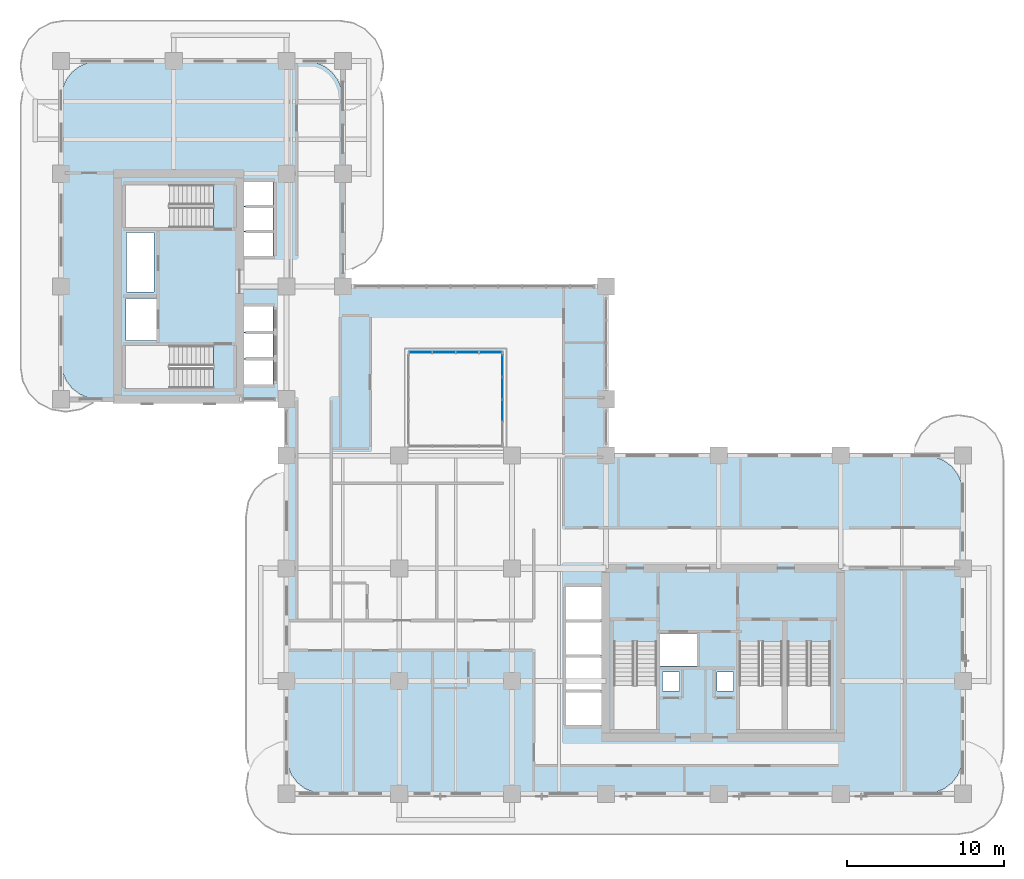
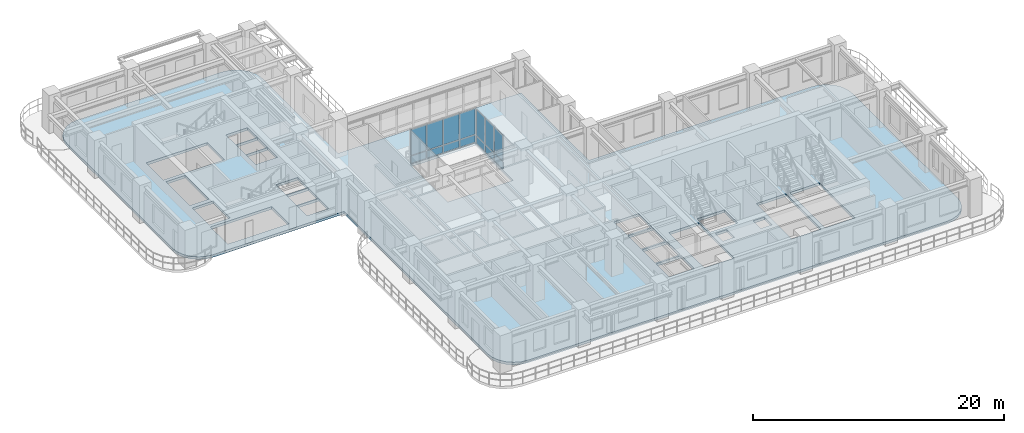
# One storey, part 9 of 22: 14 plates, 1 slab, 2 elements without a shape of their own.
"""IFC4 building model written with IfcOpenShell, lengths in metres."""

from ifc_helpers import new_model, si_unit, derived_unit, direction, frame, origin, origin_2d, place, context, subcontext, project, spatial, polyline, rectangle, outline, extrude, source, transform, mapped, material, layer, layer_set, type_object, element, aggregate, save


model = new_model("IFC4")

# Units and contexts
model_context = context("Model", 3, precision=1e-05, world=origin(), true_north=direction((0.0, 1.0)))
body_context = subcontext(model_context, "Body", "Model", "MODEL_VIEW")
ifc_project = project(units=[si_unit("LENGTHUNIT", "METRE"), si_unit("AREAUNIT", "SQUARE_METRE"), si_unit("VOLUMEUNIT", "CUBIC_METRE"), si_unit("PLANEANGLEUNIT", "RADIAN"), si_unit("MASSUNIT", "GRAM", prefix="KILO"), si_unit("THERMODYNAMICTEMPERATUREUNIT", "KELVIN"), si_unit("POWERUNIT", "WATT"), derived_unit("THERMALTRANSMITTANCEUNIT", [(si_unit("POWERUNIT", "WATT"), 1), (si_unit("AREAUNIT", "SQUARE_METRE"), -1), (si_unit("THERMODYNAMICTEMPERATUREUNIT", "KELVIN"), -1)])], contexts=[model_context])

# Site, building, storey
site_placement = place(None, origin())
site = spatial("IfcSite", under=ifc_project, at=site_placement, CompositionType="ELEMENT")
building_placement = place(site_placement, origin())
building = spatial("IfcBuilding", under=site, at=building_placement, Name="Zahravan Archway Hotel and Residences", CompositionType="ELEMENT")
storey_placement = place(building_placement, frame((0.0, 0.0, 99.0)))
storey = spatial("IfcBuildingStorey", under=building, at=storey_placement, Name="L24", CompositionType="ELEMENT", Elevation=99.0)

# Slab
ifc_material_1 = material(Name="Concrete C45/55", Category="concrete")
ifc_layer_1 = layer(ifc_material_1, 0.25, Name="Concrete C45/55", Category="concrete")
ifc_layer_set_1 = layer_set([ifc_layer_1], Name="Concrete C45/55")
slab_type = type_object("IfcSlabType", Name="SLB-FLR-250", PredefinedType="FLOOR", material=ifc_layer_set_1)
slab_placement = place(storey_placement, frame((0.0, 0.0, -0.25)))
element("IfcSlab", 1, at=slab_placement, inside=storey, type_object=slab_type, Name="L24 Floor Slab LB", PredefinedType="FLOOR", context=body_context, shape_type="SweptSolid", body=[
    extrude(outline(polyline([(34.800048828125, 21.60009765625), (34.800048828125, 32.39990234375), (18.0, 32.39990234375), (18.0, 44.39990234375), (17.918212890625, 45.021240234375), (17.678466796875, 45.60009765625), (17.297119140625, 46.09716796875), (16.800048828125, 46.478515625), (16.22119140625, 46.71826171875), (15.60009765625, 46.800048828125), (2.39990234375, 46.800048828125), (1.77880859375, 46.71826171875), (1.199951171875, 46.478515625), (0.702880859375, 46.09716796875), (0.321533203125, 45.60009765625), (0.081787109375, 45.021240234375), (0.0, 44.39990234375), (0.0, 27.60009765625), (0.081787109375, 26.978759765625), (0.321533203125, 26.39990234375), (0.702880859375, 25.90283203125), (1.199951171875, 25.521484375), (1.77880859375, 25.28173828125), (2.39990234375, 25.199951171875), (14.39990234375, 25.199951171875), (14.39990234375, 19.199951171875), (14.39990234375, 19.10009765625), (14.39990234375, 2.39990234375), (14.481689453125, 1.77880859375), (14.721435546875, 1.199951171875), (15.102783203125, 0.702880859375), (15.60009765625, 0.321533203125), (16.1787109375, 0.081787109375), (16.800048828125, 0.0), (55.199951171875, 0.0), (55.8212890625, 0.081787109375), (56.39990234375, 0.321533203125), (56.897216796875, 0.702880859375), (57.278564453125, 1.199951171875), (57.518310546875, 1.77880859375), (57.60009765625, 2.39990234375), (57.60009765625, 19.199951171875), (57.518310546875, 19.8212890625), (57.278564453125, 20.39990234375), (56.897216796875, 20.897216796875), (56.39990234375, 21.278564453125), (55.8212890625, 21.518310546875), (55.199951171875, 21.60009765625), (34.800048828125, 21.60009765625)]), holes=[polyline([(35.300048828125, 9.72998046875), (35.300048828125, 4.10009765625), (38.0400390625, 4.10009765625), (38.0400390625, 9.72998046875), (35.300048828125, 9.72998046875)]), polyline([(43.320068359375, 9.72998046875), (43.320068359375, 4.10009765625), (46.06005859375, 4.10009765625), (46.06005859375, 9.72998046875), (43.320068359375, 9.72998046875)]), polyline([(46.39990234375, 9.72998046875), (46.39990234375, 4.10009765625), (49.139892578125, 4.10009765625), (49.139892578125, 9.72998046875), (46.39990234375, 9.72998046875)]), polyline([(9.72998046875, 28.639892578125), (4.10009765625, 28.639892578125), (4.10009765625, 25.89990234375), (9.72998046875, 25.89990234375), (9.72998046875, 28.639892578125)]), polyline([(9.72998046875, 38.89990234375), (4.10009765625, 38.89990234375), (4.10009765625, 36.159912109375), (9.72998046875, 36.159912109375), (9.72998046875, 38.89990234375)]), polyline([(38.179931640625, 8.14990234375), (40.699951171875, 8.14990234375), (40.699951171875, 10.25), (38.179931640625, 10.25), (38.179931640625, 8.14990234375)]), polyline([(4.14990234375, 28.949951171875), (6.10009765625, 28.949951171875), (6.10009765625, 31.64990234375), (4.14990234375, 31.64990234375), (4.14990234375, 28.949951171875)]), polyline([(11.550048828125, 26.14990234375), (13.550048828125, 26.14990234375), (13.550048828125, 27.75), (11.550048828125, 27.75), (11.550048828125, 26.14990234375)]), polyline([(11.550048828125, 27.830078125), (13.550048828125, 27.830078125), (13.550048828125, 29.429931640625), (11.550048828125, 29.429931640625), (11.550048828125, 27.830078125)]), polyline([(11.550048828125, 29.510009765625), (13.550048828125, 29.510009765625), (13.550048828125, 31.110107421875), (11.550048828125, 31.110107421875), (11.550048828125, 29.510009765625)]), polyline([(11.550048828125, 34.35009765625), (13.550048828125, 34.35009765625), (13.550048828125, 35.889892578125), (11.550048828125, 35.889892578125), (11.550048828125, 34.35009765625)]), polyline([(11.550048828125, 35.949951171875), (13.550048828125, 35.949951171875), (13.550048828125, 37.489990234375), (11.550048828125, 37.489990234375), (11.550048828125, 35.949951171875)]), polyline([(11.550048828125, 37.550048828125), (13.550048828125, 37.550048828125), (13.550048828125, 39.090087890625), (11.550048828125, 39.090087890625), (11.550048828125, 37.550048828125)]), polyline([(32.25, 4.39990234375), (34.550048828125, 4.39990234375), (34.550048828125, 6.47998046875), (32.25, 6.47998046875), (32.25, 4.39990234375)]), polyline([(32.25, 6.639892578125), (34.550048828125, 6.639892578125), (34.550048828125, 8.719970703125), (32.25, 8.719970703125), (32.25, 6.639892578125)]), polyline([(32.25, 8.8798828125), (34.550048828125, 8.8798828125), (34.550048828125, 10.9599609375), (32.25, 10.9599609375), (32.25, 8.8798828125)]), polyline([(32.25, 11.1201171875), (34.550048828125, 11.1201171875), (34.550048828125, 13.199951171875), (32.25, 13.199951171875), (32.25, 11.1201171875)]), polyline([(22.199951171875, 22.199951171875), (28.199951171875, 22.199951171875), (28.199951171875, 28.199951171875), (22.199951171875, 28.199951171875), (22.199951171875, 22.199951171875)]), polyline([(38.419921875, 6.56005859375), (39.5, 6.56005859375), (39.5, 7.780029296875), (38.419921875, 7.780029296875), (38.419921875, 6.56005859375)]), polyline([(41.89990234375, 6.56005859375), (42.9599609375, 6.56005859375), (42.9599609375, 7.780029296875), (41.89990234375, 7.780029296875), (41.89990234375, 6.56005859375)]), polyline([(4.179931640625, 32.050048828125), (5.93994140625, 32.050048828125), (5.93994140625, 35.840087890625), (4.179931640625, 35.840087890625), (4.179931640625, 32.050048828125)])]), origin(), (0.0, 0.0, 1.0), 0.25),
])

# Curtain wall, plates
ifc_material_2 = material(Name="Bronze-Anodized Unitised Aluminium & Low-E Glass", Category="aluminium")
ifc_layer_2 = layer(ifc_material_2, 0.179931640625, Name="Bronze-Anodized Unitised Aluminium & Low-E Glass", Category="aluminium")
ifc_layer_set_2 = layer_set([ifc_layer_2], Name="Bronze-Anodized Unitised Aluminium & Low-E Glass")
curtain_wall_type = type_object("IfcCurtainWallType", Name="CW-ATR-GLAZ", PredefinedType="NOTDEFINED", material=ifc_layer_set_2)
curtain_wall_1_placement = place(storey_placement, origin())
curtain_wall_1 = element("IfcCurtainWall", 2, at=curtain_wall_1_placement, inside=storey, type_object=curtain_wall_type, Name="L24 Curtain Wall CW-ATR-L24-N-1", PredefinedType="NOTDEFINED")
ifc_material_3 = material(Name="Insulated Terracotta Spandrel Panel", Category="masonry")
ifc_layer_3 = layer(ifc_material_3, 0.0400390625, Name="Insulated Terracotta Spandrel Panel", Category="masonry")
ifc_layer_set_3 = layer_set([ifc_layer_3], Name="Insulated Terracotta Spandrel Panel")
plate_type_1 = type_object("IfcPlateType", Name="CWP-SPN-40", PredefinedType="SHEET", material=ifc_layer_set_3)
shared_shape_1 = source(origin(), body_context, "Body", "SweptSolid", [
    extrude(rectangle(XDim=1.419921875, YDim=0.0400390625, at=origin_2d()), origin(), (0.0, 0.0, 1.0), 0.68798828125),
])
plate_1_placement = place(storey_placement, frame((22.949951171875, 28.199951171875, 0.10009765625), z_axis=(0.0, 0.0, 1.0), x_axis=(1.0, 0.0, 0.0)))
plate_1 = element("IfcPlate", 3, at=plate_1_placement, type_object=plate_type_1, Name="CW-ATR-L24-N-1 Spandrel Panel 0", PredefinedType="SHEET", context=body_context, shape_type="MappedRepresentation", body=[
    mapped(shared_shape_1, transform((0.0, 0.0, 0.0), scale=1.0)),
])
plate_2_placement = place(storey_placement, frame((24.449951171875, 28.199951171875, 0.10009765625), z_axis=(0.0, 0.0, 1.0), x_axis=(1.0, 0.0, 0.0)))
plate_2 = element("IfcPlate", 4, at=plate_2_placement, type_object=plate_type_1, Name="CW-ATR-L24-N-1 Spandrel Panel 1", PredefinedType="SHEET", context=body_context, shape_type="MappedRepresentation", body=[
    mapped(shared_shape_1, transform((0.0, 0.0, 0.0), scale=1.0)),
])
plate_3_placement = place(storey_placement, frame((25.949951171875, 28.199951171875, 0.10009765625), z_axis=(0.0, 0.0, 1.0), x_axis=(1.0, 0.0, 0.0)))
plate_3 = element("IfcPlate", 5, at=plate_3_placement, type_object=plate_type_1, Name="CW-ATR-L24-N-1 Spandrel Panel 2", PredefinedType="SHEET", context=body_context, shape_type="MappedRepresentation", body=[
    mapped(shared_shape_1, transform((0.0, 0.0, 0.0), scale=1.0)),
])
plate_4_placement = place(storey_placement, frame((27.449951171875, 28.199951171875, 0.10009765625), z_axis=(0.0, 0.0, 1.0), x_axis=(1.0, 0.0, 0.0)))
plate_4 = element("IfcPlate", 6, at=plate_4_placement, type_object=plate_type_1, Name="CW-ATR-L24-N-1 Spandrel Panel 3", PredefinedType="SHEET", context=body_context, shape_type="MappedRepresentation", body=[
    mapped(shared_shape_1, transform((0.0, 0.0, 0.0), scale=1.0)),
])
ifc_material_4 = material(Name="Double-Silver Low-E Insulated Vision Glass", Category="glass")
ifc_layer_4 = layer(ifc_material_4, 0.028076171875, Name="Double-Silver Low-E Insulated Vision Glass", Category="glass")
ifc_layer_set_4 = layer_set([ifc_layer_4], Name="Double-Silver Low-E Insulated Vision Glass")
plate_type_2 = type_object("IfcPlateType", Name="CWP-GLZ-28", PredefinedType="CURTAIN_PANEL", material=ifc_layer_set_4)
shared_shape_2 = source(origin(), body_context, "Body", "SweptSolid", [
    extrude(rectangle(XDim=1.419921875, YDim=0.028076171875, at=origin_2d()), origin(), (0.0, 0.0, 1.0), 2.48193359375),
])
plate_5_placement = place(storey_placement, frame((22.949951171875, 28.199951171875, 0.867919921875), z_axis=(0.0, 0.0, 1.0), x_axis=(1.0, 0.0, 0.0)))
plate_5 = element("IfcPlate", 7, at=plate_5_placement, type_object=plate_type_2, Name="CW-ATR-L24-N-1 Low-E Vision Panel 0", PredefinedType="CURTAIN_PANEL", context=body_context, shape_type="MappedRepresentation", body=[
    mapped(shared_shape_2, transform((0.0, 0.0, 0.0), scale=1.0)),
])
plate_6_placement = place(storey_placement, frame((24.449951171875, 28.199951171875, 0.867919921875), z_axis=(0.0, 0.0, 1.0), x_axis=(1.0, 0.0, 0.0)))
plate_6 = element("IfcPlate", 8, at=plate_6_placement, type_object=plate_type_2, Name="CW-ATR-L24-N-1 Low-E Vision Panel 1", PredefinedType="CURTAIN_PANEL", context=body_context, shape_type="MappedRepresentation", body=[
    mapped(shared_shape_2, transform((0.0, 0.0, 0.0), scale=1.0)),
])
plate_7_placement = place(storey_placement, frame((25.949951171875, 28.199951171875, 0.867919921875), z_axis=(0.0, 0.0, 1.0), x_axis=(1.0, 0.0, 0.0)))
plate_7 = element("IfcPlate", 9, at=plate_7_placement, type_object=plate_type_2, Name="CW-ATR-L24-N-1 Low-E Vision Panel 2", PredefinedType="CURTAIN_PANEL", context=body_context, shape_type="MappedRepresentation", body=[
    mapped(shared_shape_2, transform((0.0, 0.0, 0.0), scale=1.0)),
])
plate_8_placement = place(storey_placement, frame((27.449951171875, 28.199951171875, 0.867919921875), z_axis=(0.0, 0.0, 1.0), x_axis=(1.0, 0.0, 0.0)))
plate_8 = element("IfcPlate", 10, at=plate_8_placement, type_object=plate_type_2, Name="CW-ATR-L24-N-1 Low-E Vision Panel 3", PredefinedType="CURTAIN_PANEL", context=body_context, shape_type="MappedRepresentation", body=[
    mapped(shared_shape_2, transform((0.0, 0.0, 0.0), scale=1.0)),
])
aggregate(curtain_wall_1, [plate_1, plate_5, plate_2, plate_6, plate_3, plate_7, plate_4, plate_8])

curtain_wall_2_placement = place(storey_placement, origin())
curtain_wall_2 = element("IfcCurtainWall", 11, at=curtain_wall_2_placement, inside=storey, type_object=curtain_wall_type, Name="L24 Curtain Wall CW-ATR-L24-E-1", PredefinedType="NOTDEFINED")
shared_shape_3 = source(origin(), body_context, "Body", "SweptSolid", [
    extrude(rectangle(XDim=1.344970703125, YDim=0.0400390625, at=origin_2d()), origin(), (0.0, 0.0, 1.0), 0.68798828125),
])
plate_9_placement = place(storey_placement, frame((28.199951171875, 24.487548828125, 0.10009765625), z_axis=(0.0, 0.0, 1.0), x_axis=(0.0, 1.0, 0.0)))
plate_9 = element("IfcPlate", 12, at=plate_9_placement, type_object=plate_type_1, Name="CW-ATR-L24-E-1 Spandrel Panel 1", PredefinedType="SHEET", context=body_context, shape_type="MappedRepresentation", body=[
    mapped(shared_shape_3, transform((0.0, 0.0, 0.0), scale=1.0)),
])
plate_10_placement = place(storey_placement, frame((28.199951171875, 25.91259765625, 0.10009765625), z_axis=(0.0, 0.0, 1.0), x_axis=(0.0, 1.0, 0.0)))
plate_10 = element("IfcPlate", 13, at=plate_10_placement, type_object=plate_type_1, Name="CW-ATR-L24-E-1 Spandrel Panel 2", PredefinedType="SHEET", context=body_context, shape_type="MappedRepresentation", body=[
    mapped(shared_shape_3, transform((0.0, 0.0, 0.0), scale=1.0)),
])
plate_11_placement = place(storey_placement, frame((28.199951171875, 27.33740234375, 0.10009765625), z_axis=(0.0, 0.0, 1.0), x_axis=(0.0, 1.0, 0.0)))
plate_11 = element("IfcPlate", 14, at=plate_11_placement, type_object=plate_type_1, Name="CW-ATR-L24-E-1 Spandrel Panel 3", PredefinedType="SHEET", context=body_context, shape_type="MappedRepresentation", body=[
    mapped(shared_shape_3, transform((0.0, 0.0, 0.0), scale=1.0)),
])
shared_shape_4 = source(origin(), body_context, "Body", "SweptSolid", [
    extrude(rectangle(XDim=1.344970703125, YDim=0.028076171875, at=origin_2d()), origin(), (0.0, 0.0, 1.0), 2.48193359375),
])
plate_12_placement = place(storey_placement, frame((28.199951171875, 24.487548828125, 0.867919921875), z_axis=(0.0, 0.0, 1.0), x_axis=(0.0, 1.0, 0.0)))
plate_12 = element("IfcPlate", 15, at=plate_12_placement, type_object=plate_type_2, Name="CW-ATR-L24-E-1 Low-E Vision Panel 1", PredefinedType="CURTAIN_PANEL", context=body_context, shape_type="MappedRepresentation", body=[
    mapped(shared_shape_4, transform((0.0, 0.0, 0.0), scale=1.0)),
])
plate_13_placement = place(storey_placement, frame((28.199951171875, 25.91259765625, 0.867919921875), z_axis=(0.0, 0.0, 1.0), x_axis=(0.0, 1.0, 0.0)))
plate_13 = element("IfcPlate", 16, at=plate_13_placement, type_object=plate_type_2, Name="CW-ATR-L24-E-1 Low-E Vision Panel 2", PredefinedType="CURTAIN_PANEL", context=body_context, shape_type="MappedRepresentation", body=[
    mapped(shared_shape_4, transform((0.0, 0.0, 0.0), scale=1.0)),
])
plate_14_placement = place(storey_placement, frame((28.199951171875, 27.33740234375, 0.867919921875), z_axis=(0.0, 0.0, 1.0), x_axis=(0.0, 1.0, 0.0)))
plate_14 = element("IfcPlate", 17, at=plate_14_placement, type_object=plate_type_2, Name="CW-ATR-L24-E-1 Low-E Vision Panel 3", PredefinedType="CURTAIN_PANEL", context=body_context, shape_type="MappedRepresentation", body=[
    mapped(shared_shape_4, transform((0.0, 0.0, 0.0), scale=1.0)),
])
aggregate(curtain_wall_2, [plate_9, plate_12, plate_10, plate_13, plate_11, plate_14])

save(model, "model.ifc")
